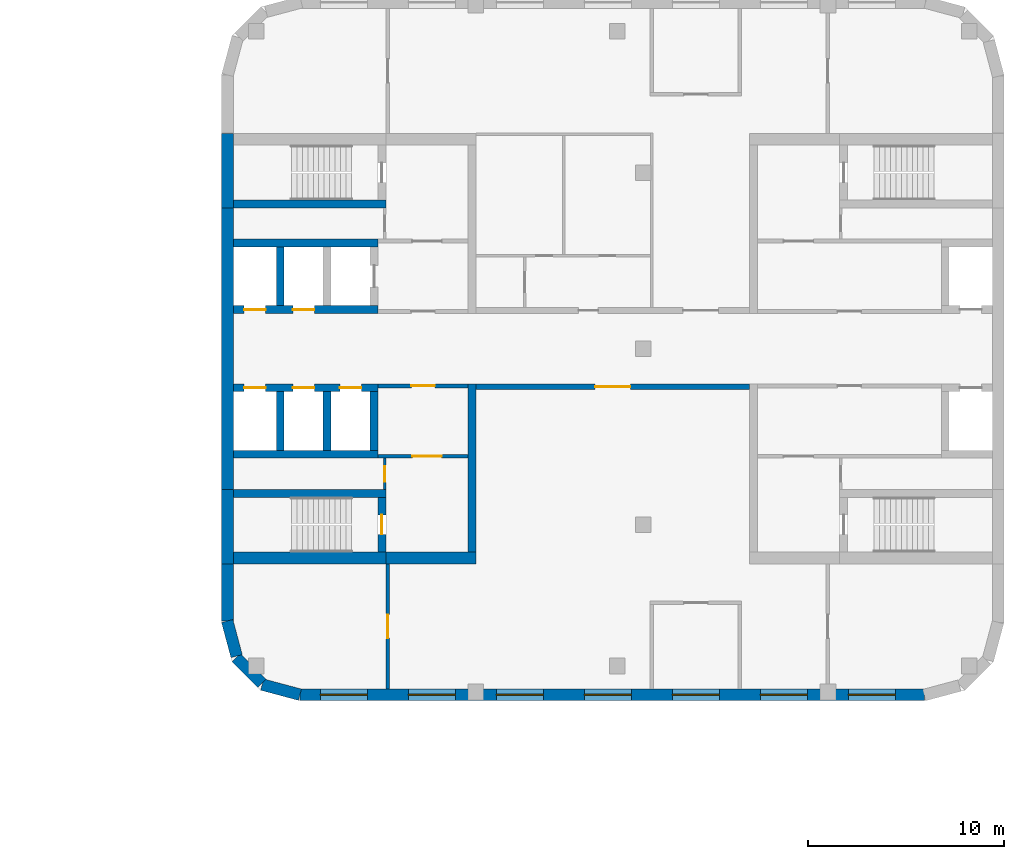
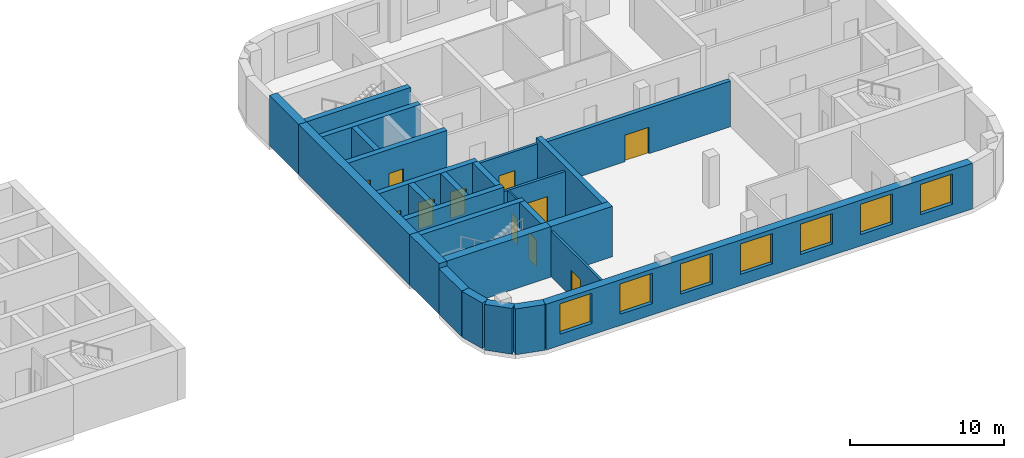
# One storey, part 7 of 15: 27 walls, 11 doors, 7 windows, 18 openings.
"""IFC4 building model written with IfcOpenShell, lengths in metres."""

from ifc_helpers import new_model, si_unit, direction, frame, frame_2d, origin, place, context, subcontext, project, spatial, rectangle, extrude, material, layer, layer_set, type_object, element, fill, save


model = new_model("IFC4")

# Units and contexts
model_context = context("Model", 3, precision=1e-05, world=origin(), true_north=direction((0.0, 1.0)))
body_context = subcontext(model_context, "Body", "Model", "MODEL_VIEW")
ifc_project = project(units=[si_unit("LENGTHUNIT", "METRE"), si_unit("AREAUNIT", "SQUARE_METRE"), si_unit("VOLUMEUNIT", "CUBIC_METRE"), si_unit("PLANEANGLEUNIT", "RADIAN"), si_unit("MASSUNIT", "GRAM", prefix="KILO")], contexts=[model_context])

# Site, building, storey
site_placement = place(None, origin())
site = spatial("IfcSite", under=ifc_project, at=site_placement, CompositionType="ELEMENT")
building_placement = place(site_placement, origin())
building = spatial("IfcBuilding", under=site, at=building_placement, Name="Skarvind Civic Tower", CompositionType="ELEMENT")
storey_placement = place(building_placement, frame((0.0, 0.0, 55.5)))
storey = spatial("IfcBuildingStorey", under=building, at=storey_placement, Name="L12", CompositionType="ELEMENT", Elevation=55.5)

# Wall, opening, door
ifc_material_1 = material(Name="Acoustic gypsum board on steel studs", Category="steel")
ifc_layer_1 = layer(ifc_material_1, 0.175048828125)
ifc_layer_set_1 = layer_set([ifc_layer_1], Name="ACOUSTIC MEETING-ROOM PARTITION 175")
wall_type_1 = type_object("IfcWallType", Name="ACOUSTIC MEETING-ROOM PARTITION 175", PredefinedType="PARTITIONING", material=ifc_layer_set_1)
wall_1_placement = place(storey_placement, frame((135.5, 117.0, 0.0), z_axis=(0.0, 0.0, 1.0), x_axis=(0.0, -1.0, 0.0)))
wall_1 = element("IfcWall", 1, at=wall_1_placement, inside=storey, type_object=wall_type_1, Name="Partition 12.001", PredefinedType="PARTITIONING", context=body_context, shape_type="SweptSolid", body=[
    extrude(rectangle(XDim=6.39990234375, YDim=0.175048828125, at=frame_2d((3.199951171875, 0.0))), origin(), (0.0, 0.0, 1.0), 3.625),
])
opening_1_placement = place(wall_1_placement, frame((2.60009765625, 0.0, 0.0)))
opening_1 = element("IfcOpeningElement", 2, at=opening_1_placement, cuts=wall_1, Name="Opening L12-D111", PredefinedType="OPENING", context=body_context, shape_type="SweptSolid", body=[
    extrude(rectangle(XDim=1.199951171875, YDim=2.10009765625, at=frame_2d((0.60009765625, 1.050048828125))), frame((0.0, 0.097412109375, 0.0), z_axis=(0.0, -1.0, 0.0), x_axis=(1.0, 0.0, 0.0)), (0.0, 0.0, 1.0), 0.195068359375),
])
ifc_material_2 = material(Name="Timber door leaf", Category="wood")
door_type_1 = type_object("IfcDoorType", Name="DOOR 1200X2100 DOUBLE TIMBER", OperationType="NOTDEFINED", PredefinedType="DOOR", material=ifc_material_2)
door_1_placement = place(opening_1_placement, origin())
door_1 = element("IfcDoor", 3, at=door_1_placement, inside=storey, type_object=door_type_1, Name="Door L12-D111", OperationType="DOUBLE_DOOR_SINGLE_SWING", OverallHeight=2.10009765625, OverallWidth=1.199951171875, PredefinedType="DOOR", context=body_context, shape_type="SweptSolid", body=[
    extrude(rectangle(XDim=1.199951171875, YDim=2.10009765625, at=frame_2d((0.60009765625, 1.050048828125))), frame((0.0, 0.02490234375, 0.0), z_axis=(0.0, -1.0, 0.0), x_axis=(1.0, 0.0, 0.0)), (0.0, 0.0, 1.0), 0.050048828125),
])
fill(opening_1, door_1)

ifc_material_3 = material(Name="Fire-rated gypsum board on steel studs", Category="steel")
ifc_layer_2 = layer(ifc_material_3, 0.300048828125)
ifc_layer_set_2 = layer_set([ifc_layer_2], Name="CORRIDOR WALL 300")
wall_type_2 = type_object("IfcWallType", Name="CORRIDOR WALL 300", PredefinedType="PARTITIONING", material=ifc_layer_set_2)
wall_2_placement = place(storey_placement, frame((154.0, 126.050048828125, 0.0), z_axis=(0.0, 0.0, 1.0), x_axis=(-1.0, 0.0, 0.0)))
wall_2 = element("IfcWall", 4, at=wall_2_placement, inside=storey, type_object=wall_type_2, Name="Partition 12.015", PredefinedType="PARTITIONING", context=body_context, shape_type="SweptSolid", body=[
    extrude(rectangle(XDim=14.0, YDim=0.300048828125, at=frame_2d((7.0, 0.0))), origin(), (0.0, 0.0, 1.0), 3.625),
])
opening_2_placement = place(wall_2_placement, frame((6.10009765625, 0.0, 0.0)))
opening_2 = element("IfcOpeningElement", 5, at=opening_2_placement, cuts=wall_2, Name="Opening L12-D109", PredefinedType="OPENING", context=body_context, shape_type="SweptSolid", body=[
    extrude(rectangle(XDim=1.800048828125, YDim=2.10009765625, at=frame_2d((0.89990234375, 1.050048828125))), frame((0.0, 0.159912109375, 0.0), z_axis=(0.0, -1.0, 0.0), x_axis=(1.0, 0.0, 0.0)), (0.0, 0.0, 1.0), 0.320068359375),
])
ifc_material_4 = material(Name="Fire-rated timber door leaf", Category="wood")
door_type_2 = type_object("IfcDoorType", Name="FD4 1800x2100", OperationType="NOTDEFINED", PredefinedType="DOOR", material=ifc_material_4)
door_2_placement = place(opening_2_placement, origin())
door_2 = element("IfcDoor", 6, at=door_2_placement, inside=storey, type_object=door_type_2, Name="Door L12-D109", OperationType="DOUBLE_DOOR_SINGLE_SWING", OverallHeight=2.10009765625, OverallWidth=1.800048828125, PredefinedType="DOOR", context=body_context, shape_type="SweptSolid", body=[
    extrude(rectangle(XDim=1.800048828125, YDim=2.10009765625, at=frame_2d((0.89990234375, 1.050048828125))), frame((0.0, 0.02490234375, 0.0), z_axis=(0.0, -1.0, 0.0), x_axis=(1.0, 0.0, 0.0)), (0.0, 0.0, 1.0), 0.050048828125),
])
fill(opening_2, door_2)

ifc_material_5 = material(Name="Fire-rated masonry partition", Category="masonry")
ifc_layer_3 = layer(ifc_material_5, 0.199951171875)
ifc_layer_set_3 = layer_set([ifc_layer_3], Name="Core enclosure wall 200")
wall_type_3 = type_object("IfcWallType", Name="Core enclosure wall 200", PredefinedType="PARTITIONING", material=ifc_layer_set_3)
wall_3_placement = place(storey_placement, frame((139.60009765625, 126.10009765625, 0.0), z_axis=(0.0, 0.0, 1.0), x_axis=(-1.0, 0.0, 0.0)))
wall_3 = element("IfcWall", 7, at=wall_3_placement, inside=storey, type_object=wall_type_3, Name="Core wall CA", PredefinedType="PARTITIONING", context=body_context, shape_type="SweptSolid", body=[
    extrude(rectangle(XDim=4.60009765625, YDim=0.199951171875, at=frame_2d((2.300048828125, 0.0))), origin(), (0.0, 0.0, 1.0), 3.625),
])
opening_3_placement = place(wall_3_placement, frame((1.699951171875, 0.0, 0.0)))
opening_3 = element("IfcOpeningElement", 8, at=opening_3_placement, cuts=wall_3, Name="Opening D-L12-CA-10", PredefinedType="OPENING", context=body_context, shape_type="SweptSolid", body=[
    extrude(rectangle(XDim=1.199951171875, YDim=2.10009765625, at=frame_2d((0.60009765625, 1.050048828125))), frame((0.0, 0.10986328125, 0.0), z_axis=(0.0, -1.0, 0.0), x_axis=(1.0, 0.0, 0.0)), (0.0, 0.0, 1.0), 0.219970703125),
])
ifc_material_6 = material(Name="Fire-rated steel door", Category="steel")
door_type_3 = type_object("IfcDoorType", Name="Core lobby door 1200", OperationType="NOTDEFINED", PredefinedType="DOOR", material=ifc_material_6)
door_3_placement = place(opening_3_placement, origin())
door_3 = element("IfcDoor", 9, at=door_3_placement, inside=storey, type_object=door_type_3, Name="Fire door", OperationType="DOUBLE_DOOR_SINGLE_SWING", OverallHeight=2.10009765625, OverallWidth=1.199951171875, PredefinedType="DOOR", context=body_context, shape_type="SweptSolid", body=[
    extrude(rectangle(XDim=1.199951171875, YDim=2.10009765625, at=frame_2d((0.60009765625, 1.050048828125))), frame((0.0, 0.02490234375, 0.0), z_axis=(0.0, -1.0, 0.0), x_axis=(1.0, 0.0, 0.0)), (0.0, 0.0, 1.0), 0.050048828125),
])
fill(opening_3, door_3)

wall_4_placement = place(storey_placement, frame((139.60009765625, 122.5, 0.0), z_axis=(0.0, 0.0, 1.0), x_axis=(-1.0, 0.0, 0.0)))
wall_4 = element("IfcWall", 10, at=wall_4_placement, inside=storey, type_object=wall_type_3, Name="Core wall CA", PredefinedType="PARTITIONING", context=body_context, shape_type="SweptSolid", body=[
    extrude(rectangle(XDim=4.60009765625, YDim=0.199951171875, at=frame_2d((2.300048828125, 0.0))), origin(), (0.0, 0.0, 1.0), 3.625),
])
opening_4_placement = place(wall_4_placement, frame((1.35009765625, 0.0, 0.0)))
opening_4 = element("IfcOpeningElement", 11, at=opening_4_placement, cuts=wall_4, Name="Opening D-L12-CA-11", PredefinedType="OPENING", context=body_context, shape_type="SweptSolid", body=[
    extrude(rectangle(XDim=1.5, YDim=2.10009765625, at=frame_2d((0.75, 1.050048828125))), frame((0.0, 0.10986328125, 0.0), z_axis=(0.0, -1.0, 0.0), x_axis=(1.0, 0.0, 0.0)), (0.0, 0.0, 1.0), 0.219970703125),
])
door_type_4 = type_object("IfcDoorType", Name="Fire door 1500", OperationType="NOTDEFINED", PredefinedType="DOOR", material=ifc_material_6)
door_4_placement = place(opening_4_placement, origin())
door_4 = element("IfcDoor", 12, at=door_4_placement, inside=storey, type_object=door_type_4, Name="Fire door", OperationType="DOUBLE_DOOR_SINGLE_SWING", OverallHeight=2.10009765625, OverallWidth=1.5, PredefinedType="DOOR", context=body_context, shape_type="SweptSolid", body=[
    extrude(rectangle(XDim=1.5, YDim=2.10009765625, at=frame_2d((0.75, 1.050048828125))), frame((0.0, 0.02490234375, 0.0), z_axis=(0.0, -1.0, 0.0), x_axis=(1.0, 0.0, 0.0)), (0.0, 0.0, 1.0), 0.050048828125),
])
fill(opening_4, door_4)

# Wall
ifc_material_7 = material(Name="Concrete C80", Category="concrete")
ifc_layer_4 = layer(ifc_material_7, 0.39990234375)
ifc_layer_set_4 = layer_set([ifc_layer_4], Name="Core wall 400 C80")
wall_type_4 = type_object("IfcWallType", Name="Core wall 400 C80", PredefinedType="SHEAR", material=ifc_layer_set_4)
wall_5_placement = place(storey_placement, frame((127.60009765625, 120.60009765625, 0.0), z_axis=(0.0, 0.0, 1.0), x_axis=(1.0, 0.0, 0.0)))
element("IfcWall", 13, at=wall_5_placement, inside=storey, type_object=wall_type_4, Name="Core wall CA south stair inner L12", PredefinedType="SHEAR", context=body_context, shape_type="SweptSolid", body=[
    extrude(rectangle(XDim=7.7998046875, YDim=0.39990234375, at=frame_2d((3.89990234375, 0.0))), origin(), (0.0, 0.0, 1.0), 4.0),
])

# Wall, opening, door
wall_6_placement = place(storey_placement, frame((135.199951171875, 117.60009765625, 0.0), z_axis=(0.0, 0.0, 1.0), x_axis=(0.0, 1.0, 0.0)))
wall_6 = element("IfcWall", 14, at=wall_6_placement, inside=storey, type_object=wall_type_4, Name="Core wall CA south stair end L12", PredefinedType="SHEAR", context=body_context, shape_type="SweptSolid", body=[
    extrude(rectangle(XDim=2.7998046875, YDim=0.39990234375, at=frame_2d((1.39990234375, 0.0))), origin(), (0.0, 0.0, 1.0), 4.0),
])
opening_5_placement = place(wall_6_placement, frame((0.89990234375, 0.0, 0.0)))
opening_5 = element("IfcOpeningElement", 15, at=opening_5_placement, cuts=wall_6, Name="Opening D-L12-CA-12", PredefinedType="OPENING", context=body_context, shape_type="SweptSolid", body=[
    extrude(rectangle(XDim=1.0, YDim=2.10009765625, at=frame_2d((0.5, 1.050048828125))), frame((0.0, 0.2099609375, 0.0), z_axis=(0.0, -1.0, 0.0), x_axis=(1.0, 0.0, 0.0)), (0.0, 0.0, 1.0), 0.419921875),
])
door_type_5 = type_object("IfcDoorType", Name="Fire door 1000", OperationType="NOTDEFINED", PredefinedType="DOOR", material=ifc_material_6)
door_5_placement = place(opening_5_placement, origin())
door_5 = element("IfcDoor", 16, at=door_5_placement, inside=storey, type_object=door_type_5, Name="Fire door", OperationType="SINGLE_SWING_RIGHT", OverallHeight=2.10009765625, OverallWidth=1.0, PredefinedType="DOOR", context=body_context, shape_type="SweptSolid", body=[
    extrude(rectangle(XDim=1.0, YDim=2.10009765625, at=frame_2d((0.5, 1.050048828125))), frame((0.0, 0.02490234375, 0.0), z_axis=(0.0, -1.0, 0.0), x_axis=(1.0, 0.0, 0.0)), (0.0, 0.0, 1.0), 0.050048828125),
])
fill(opening_5, door_5)

# Wall
wall_7_placement = place(storey_placement, frame((127.60009765625, 135.39990234375, 0.0), z_axis=(0.0, 0.0, 1.0), x_axis=(1.0, 0.0, 0.0)))
element("IfcWall", 17, at=wall_7_placement, inside=storey, type_object=wall_type_4, Name="Core wall CA north stair inner L12", PredefinedType="SHEAR", context=body_context, shape_type="SweptSolid", body=[
    extrude(rectangle(XDim=7.7998046875, YDim=0.39990234375, at=frame_2d((3.89990234375, 0.0))), origin(), (0.0, 0.0, 1.0), 4.0),
])

# Wall, openings, doors
wall_8_placement = place(storey_placement, frame((127.60009765625, 126.0, 0.0), z_axis=(0.0, 0.0, 1.0), x_axis=(1.0, 0.0, 0.0)))
wall_8 = element("IfcWall", 18, at=wall_8_placement, inside=storey, type_object=wall_type_4, Name="Core wall CA south lift row front L12", PredefinedType="SHEAR", context=body_context, shape_type="SweptSolid", body=[
    extrude(rectangle(XDim=7.39990234375, YDim=0.39990234375, at=frame_2d((3.699951171875, 0.0))), origin(), (0.0, 0.0, 1.0), 4.0),
])
opening_6_placement = place(wall_8_placement, frame((0.550048828125, 0.0, 0.0)))
opening_6 = element("IfcOpeningElement", 19, at=opening_6_placement, cuts=wall_8, Name="Opening LD14304", PredefinedType="OPENING", context=body_context, shape_type="SweptSolid", body=[
    extrude(rectangle(XDim=1.10009765625, YDim=2.10009765625, at=frame_2d((0.550048828125, 1.050048828125))), frame((0.0, 0.2099609375, 0.0), z_axis=(0.0, -1.0, 0.0), x_axis=(1.0, 0.0, 0.0)), (0.0, 0.0, 1.0), 0.419921875),
])
opening_7_placement = place(wall_8_placement, frame((3.050048828125, 0.0, 0.0)))
opening_7 = element("IfcOpeningElement", 20, at=opening_7_placement, cuts=wall_8, Name="Opening LD14305", PredefinedType="OPENING", context=body_context, shape_type="SweptSolid", body=[
    extrude(rectangle(XDim=1.10009765625, YDim=2.10009765625, at=frame_2d((0.550048828125, 1.050048828125))), frame((0.0, 0.2099609375, 0.0), z_axis=(0.0, -1.0, 0.0), x_axis=(1.0, 0.0, 0.0)), (0.0, 0.0, 1.0), 0.419921875),
])
opening_8_placement = place(wall_8_placement, frame((5.449951171875, 0.0, 0.0)))
opening_8 = element("IfcOpeningElement", 21, at=opening_8_placement, cuts=wall_8, Name="Opening LD14306", PredefinedType="OPENING", context=body_context, shape_type="SweptSolid", body=[
    extrude(rectangle(XDim=1.10009765625, YDim=2.10009765625, at=frame_2d((0.550048828125, 1.050048828125))), frame((0.0, 0.2099609375, 0.0), z_axis=(0.0, -1.0, 0.0), x_axis=(1.0, 0.0, 0.0)), (0.0, 0.0, 1.0), 0.419921875),
])
ifc_material_8 = material(Name="Stainless steel landing door", Category="steel")
door_type_6 = type_object("IfcDoorType", Name="Lift landing door 1100", OperationType="DOUBLE_DOOR_SLIDING", PredefinedType="DOOR", material=ifc_material_8)
door_6_placement = place(opening_6_placement, origin())
door_6 = element("IfcDoor", 22, at=door_6_placement, inside=storey, type_object=door_type_6, Name="Lift landing door", OperationType="DOUBLE_DOOR_SLIDING", OverallHeight=2.10009765625, OverallWidth=1.10009765625, PredefinedType="DOOR", context=body_context, shape_type="SweptSolid", body=[
    extrude(rectangle(XDim=1.10009765625, YDim=2.10009765625, at=frame_2d((0.550048828125, 1.050048828125))), frame((0.0, 0.02490234375, 0.0), z_axis=(0.0, -1.0, 0.0), x_axis=(1.0, 0.0, 0.0)), (0.0, 0.0, 1.0), 0.050048828125),
])
fill(opening_6, door_6)
door_7_placement = place(opening_7_placement, origin())
door_7 = element("IfcDoor", 23, at=door_7_placement, inside=storey, type_object=door_type_6, Name="Lift landing door", OperationType="DOUBLE_DOOR_SLIDING", OverallHeight=2.10009765625, OverallWidth=1.10009765625, PredefinedType="DOOR", context=body_context, shape_type="SweptSolid", body=[
    extrude(rectangle(XDim=1.10009765625, YDim=2.10009765625, at=frame_2d((0.550048828125, 1.050048828125))), frame((0.0, 0.02490234375, 0.0), z_axis=(0.0, -1.0, 0.0), x_axis=(1.0, 0.0, 0.0)), (0.0, 0.0, 1.0), 0.050048828125),
])
fill(opening_7, door_7)
door_8_placement = place(opening_8_placement, origin())
door_8 = element("IfcDoor", 24, at=door_8_placement, inside=storey, type_object=door_type_6, Name="Lift landing door", OperationType="DOUBLE_DOOR_SLIDING", OverallHeight=2.10009765625, OverallWidth=1.10009765625, PredefinedType="DOOR", context=body_context, shape_type="SweptSolid", body=[
    extrude(rectangle(XDim=1.10009765625, YDim=2.10009765625, at=frame_2d((0.550048828125, 1.050048828125))), frame((0.0, 0.02490234375, 0.0), z_axis=(0.0, -1.0, 0.0), x_axis=(1.0, 0.0, 0.0)), (0.0, 0.0, 1.0), 0.050048828125),
])
fill(opening_8, door_8)

# Walls
wall_9_placement = place(storey_placement, frame((127.60009765625, 122.60009765625, 0.0), z_axis=(0.0, 0.0, 1.0), x_axis=(1.0, 0.0, 0.0)))
element("IfcWall", 25, at=wall_9_placement, inside=storey, type_object=wall_type_4, Name="Core wall CA south lift row back L12", PredefinedType="SHEAR", context=body_context, shape_type="SweptSolid", body=[
    extrude(rectangle(XDim=7.39990234375, YDim=0.39990234375, at=frame_2d((3.699951171875, 0.0))), origin(), (0.0, 0.0, 1.0), 4.0),
])
for number, where, z_axis, x_axis, name in (
    (26, (130.0, 122.800048828125, 0.0), (0.0, 0.0, 1.0), (0.0, 1.0, 0.0), "Core wall CA south lift row division 1 L12"),
    (27, (132.39990234375, 122.800048828125, 0.0), (0.0, 0.0, 1.0), (0.0, 1.0, 0.0), "Core wall CA south lift row division 2 L12"),
    (28, (134.800048828125, 122.800048828125, 0.0), (0.0, 0.0, 1.0), (0.0, 1.0, 0.0), "Core wall CA south lift row division 3 L12"),
):
    element("IfcWall", number, at=place(storey_placement, frame(where, z_axis=z_axis, x_axis=x_axis)), inside=storey, type_object=wall_type_4, Name=name, PredefinedType="SHEAR", context=body_context, shape_type="SweptSolid", body=[
        extrude(rectangle(XDim=3.0, YDim=0.39990234375, at=frame_2d((1.5, 0.0))), origin(), (0.0, 0.0, 1.0), 4.0),
    ])

# Wall, openings, doors
wall_10_placement = place(storey_placement, frame((127.60009765625, 130.0, 0.0), z_axis=(0.0, 0.0, 1.0), x_axis=(1.0, 0.0, 0.0)))
wall_10 = element("IfcWall", 29, at=wall_10_placement, inside=storey, type_object=wall_type_4, Name="Core wall CA north lift row front L12", PredefinedType="SHEAR", context=body_context, shape_type="SweptSolid", body=[
    extrude(rectangle(XDim=7.39990234375, YDim=0.39990234375, at=frame_2d((3.699951171875, 0.0))), origin(), (0.0, 0.0, 1.0), 4.0),
])
opening_9_placement = place(wall_10_placement, frame((0.550048828125, 0.0, 0.0)))
opening_9 = element("IfcOpeningElement", 30, at=opening_9_placement, cuts=wall_10, Name="Opening LD14301", PredefinedType="OPENING", context=body_context, shape_type="SweptSolid", body=[
    extrude(rectangle(XDim=1.10009765625, YDim=2.10009765625, at=frame_2d((0.550048828125, 1.050048828125))), frame((0.0, 0.2099609375, 0.0), z_axis=(0.0, -1.0, 0.0), x_axis=(1.0, 0.0, 0.0)), (0.0, 0.0, 1.0), 0.419921875),
])
opening_10_placement = place(wall_10_placement, frame((3.050048828125, 0.0, 0.0)))
opening_10 = element("IfcOpeningElement", 31, at=opening_10_placement, cuts=wall_10, Name="Opening LD14302", PredefinedType="OPENING", context=body_context, shape_type="SweptSolid", body=[
    extrude(rectangle(XDim=1.10009765625, YDim=2.10009765625, at=frame_2d((0.550048828125, 1.050048828125))), frame((0.0, 0.2099609375, 0.0), z_axis=(0.0, -1.0, 0.0), x_axis=(1.0, 0.0, 0.0)), (0.0, 0.0, 1.0), 0.419921875),
])
door_9_placement = place(opening_9_placement, origin())
door_9 = element("IfcDoor", 32, at=door_9_placement, inside=storey, type_object=door_type_6, Name="Lift landing door", OperationType="DOUBLE_DOOR_SLIDING", OverallHeight=2.10009765625, OverallWidth=1.10009765625, PredefinedType="DOOR", context=body_context, shape_type="SweptSolid", body=[
    extrude(rectangle(XDim=1.10009765625, YDim=2.10009765625, at=frame_2d((0.550048828125, 1.050048828125))), frame((0.0, 0.02490234375, 0.0), z_axis=(0.0, -1.0, 0.0), x_axis=(1.0, 0.0, 0.0)), (0.0, 0.0, 1.0), 0.050048828125),
])
fill(opening_9, door_9)
door_10_placement = place(opening_10_placement, origin())
door_10 = element("IfcDoor", 33, at=door_10_placement, inside=storey, type_object=door_type_6, Name="Lift landing door", OperationType="DOUBLE_DOOR_SLIDING", OverallHeight=2.10009765625, OverallWidth=1.10009765625, PredefinedType="DOOR", context=body_context, shape_type="SweptSolid", body=[
    extrude(rectangle(XDim=1.10009765625, YDim=2.10009765625, at=frame_2d((0.550048828125, 1.050048828125))), frame((0.0, 0.02490234375, 0.0), z_axis=(0.0, -1.0, 0.0), x_axis=(1.0, 0.0, 0.0)), (0.0, 0.0, 1.0), 0.050048828125),
])
fill(opening_10, door_10)

# Walls
wall_11_placement = place(storey_placement, frame((127.60009765625, 133.39990234375, 0.0), z_axis=(0.0, 0.0, 1.0), x_axis=(1.0, 0.0, 0.0)))
element("IfcWall", 34, at=wall_11_placement, inside=storey, type_object=wall_type_4, Name="Core wall CA north lift row back L12", PredefinedType="SHEAR", context=body_context, shape_type="SweptSolid", body=[
    extrude(rectangle(XDim=7.39990234375, YDim=0.39990234375, at=frame_2d((3.699951171875, 0.0))), origin(), (0.0, 0.0, 1.0), 4.0),
])
wall_12_placement = place(storey_placement, frame((130.0, 130.199951171875, 0.0), z_axis=(0.0, 0.0, 1.0), x_axis=(0.0, 1.0, 0.0)))
element("IfcWall", 35, at=wall_12_placement, inside=storey, type_object=wall_type_4, Name="Core wall CA north lift row division 1 L12", PredefinedType="SHEAR", context=body_context, shape_type="SweptSolid", body=[
    extrude(rectangle(XDim=3.0, YDim=0.39990234375, at=frame_2d((1.5, 0.0))), origin(), (0.0, 0.0, 1.0), 4.0),
])
wall_13_placement = place(storey_placement, frame((139.800048828125, 117.60009765625, 0.0), z_axis=(0.0, 0.0, 1.0), x_axis=(0.0, 1.0, 0.0)))
element("IfcWall", 36, at=wall_13_placement, inside=storey, type_object=wall_type_4, Name="Core wall CA south inner face L12", PredefinedType="SHEAR", context=body_context, shape_type="SweptSolid", body=[
    extrude(rectangle(XDim=8.599853515625, YDim=0.39990234375, at=frame_2d((4.2998046875, 0.0))), origin(), (0.0, 0.0, 1.0), 4.0),
])
ifc_layer_5 = layer(ifc_material_7, 0.60009765625)
ifc_layer_set_5 = layer_set([ifc_layer_5], Name="Core wall 600 C80")
wall_type_5 = type_object("IfcWallType", Name="Core wall 600 C80", PredefinedType="SHEAR", material=ifc_layer_set_5)
wall_14_placement = place(storey_placement, frame((127.300048828125, 117.0, 0.0), z_axis=(0.0, 0.0, 1.0), x_axis=(0.0, 1.0, 0.0)))
element("IfcWall", 37, at=wall_14_placement, inside=storey, type_object=wall_type_5, Name="Core wall CA tip at the south stair L12", PredefinedType="SHEAR", context=body_context, shape_type="SweptSolid", body=[
    extrude(rectangle(XDim=3.800048828125, YDim=0.60009765625, at=frame_2d((1.89990234375, 0.0))), origin(), (0.0, 0.0, 1.0), 4.0),
])
wall_15_placement = place(storey_placement, frame((127.300048828125, 120.800048828125, 0.0), z_axis=(0.0, 0.0, 1.0), x_axis=(0.0, 1.0, 0.0)))
element("IfcWall", 38, at=wall_15_placement, inside=storey, type_object=wall_type_5, Name="Core wall CA tip between the stairs L12", PredefinedType="SHEAR", context=body_context, shape_type="SweptSolid", body=[
    extrude(rectangle(XDim=14.39990234375, YDim=0.60009765625, at=frame_2d((7.199951171875, 0.0))), origin(), (0.0, 0.0, 1.0), 4.0),
])
wall_16_placement = place(storey_placement, frame((127.300048828125, 135.199951171875, 0.0), z_axis=(0.0, 0.0, 1.0), x_axis=(0.0, 1.0, 0.0)))
element("IfcWall", 39, at=wall_16_placement, inside=storey, type_object=wall_type_5, Name="Core wall CA tip at the north stair L12", PredefinedType="SHEAR", context=body_context, shape_type="SweptSolid", body=[
    extrude(rectangle(XDim=3.800048828125, YDim=0.60009765625, at=frame_2d((1.89990234375, 0.0))), origin(), (0.0, 0.0, 1.0), 4.0),
])
wall_17_placement = place(storey_placement, frame((127.60009765625, 117.300048828125, 0.0), z_axis=(0.0, 0.0, 1.0), x_axis=(1.0, 0.0, 0.0)))
element("IfcWall", 40, at=wall_17_placement, inside=storey, type_object=wall_type_5, Name="Core wall CA south side at the stair L12", PredefinedType="SHEAR", context=body_context, shape_type="SweptSolid", body=[
    extrude(rectangle(XDim=7.7998046875, YDim=0.60009765625, at=frame_2d((3.89990234375, 0.0))), origin(), (0.0, 0.0, 1.0), 4.0),
])
wall_18_placement = place(storey_placement, frame((135.39990234375, 117.300048828125, 0.0), z_axis=(0.0, 0.0, 1.0), x_axis=(1.0, 0.0, 0.0)))
element("IfcWall", 41, at=wall_18_placement, inside=storey, type_object=wall_type_5, Name="Core wall CA south side L12", PredefinedType="SHEAR", context=body_context, shape_type="SweptSolid", body=[
    extrude(rectangle(XDim=4.60009765625, YDim=0.60009765625, at=frame_2d((2.300048828125, 0.0))), origin(), (0.0, 0.0, 1.0), 4.0),
])

# Wall, opening, door
ifc_layer_6 = layer(ifc_material_5, 0.125)
ifc_layer_set_6 = layer_set([ifc_layer_6], Name="Riser wall 125")
wall_type_6 = type_object("IfcWallType", Name="Riser wall 125", PredefinedType="PARTITIONING", material=ifc_layer_set_6)
wall_19_placement = place(storey_placement, frame((135.33740234375, 122.39990234375, 0.0), z_axis=(0.0, 0.0, 1.0), x_axis=(0.0, -1.0, 0.0)))
wall_19 = element("IfcWall", 42, at=wall_19_placement, inside=storey, type_object=wall_type_6, Name="Core wall CA", PredefinedType="PARTITIONING", context=body_context, shape_type="SweptSolid", body=[
    extrude(rectangle(XDim=1.599853515625, YDim=0.125, at=frame_2d((0.7998046875, 0.0))), origin(), (0.0, 0.0, 1.0), 3.625),
])
opening_11_placement = place(wall_19_placement, frame((0.39990234375, 0.0, 0.0)))
opening_11 = element("IfcOpeningElement", 43, at=opening_11_placement, cuts=wall_19, Name="Opening D-L12-CA-13", PredefinedType="OPENING", context=body_context, shape_type="SweptSolid", body=[
    extrude(rectangle(XDim=0.800048828125, YDim=2.10009765625, at=frame_2d((0.39990234375, 1.050048828125))), frame((0.0, 0.072509765625, 0.0), z_axis=(0.0, -1.0, 0.0), x_axis=(1.0, 0.0, 0.0)), (0.0, 0.0, 1.0), 0.14501953125),
])
door_type_7 = type_object("IfcDoorType", Name="Core riser door 800", OperationType="NOTDEFINED", PredefinedType="DOOR", material=ifc_material_6)
door_11_placement = place(opening_11_placement, origin())
door_11 = element("IfcDoor", 44, at=door_11_placement, inside=storey, type_object=door_type_7, Name="Riser door", OperationType="SINGLE_SWING_LEFT", OverallHeight=2.10009765625, OverallWidth=0.800048828125, PredefinedType="DOOR", context=body_context, shape_type="SweptSolid", body=[
    extrude(rectangle(XDim=0.800048828125, YDim=2.10009765625, at=frame_2d((0.39990234375, 1.050048828125))), frame((0.0, 0.02490234375, 0.0), z_axis=(0.0, -1.0, 0.0), x_axis=(1.0, 0.0, 0.0)), (0.0, 0.0, 1.0), 0.050048828125),
])
fill(opening_11, door_11)

# Walls
ifc_material_9 = material(Name="Limestone masonry cladding on insulated backing", Category="masonry")
ifc_layer_7 = layer(ifc_material_9, 0.60009765625)
ifc_layer_set_7 = layer_set([ifc_layer_7], Name="WX1 STONE FACADE WALL 600")
wall_type_7 = type_object("IfcWallType", Name="WX1 STONE FACADE WALL 600", PredefinedType="SOLIDWALL", material=ifc_layer_set_7)
wall_20_placement = place(storey_placement, frame((127.300048828125, 114.070068359375, 0.0), z_axis=(0.0, 0.0, 1.0), x_axis=(0.0, 1.0, 0.0)))
element("IfcWall", 45, at=wall_20_placement, inside=storey, type_object=wall_type_7, Name="STONE FACADE WALL", PredefinedType="SOLIDWALL", context=body_context, shape_type="SweptSolid", body=[
    extrude(rectangle(XDim=2.909912109375, YDim=0.60009765625, at=frame_2d((1.455078125, 0.0))), origin(), (0.0, 0.0, 1.0), 3.625),
])
for number, where, z_axis, x_axis, name in (
    (46, (127.771240234375, 112.280517578125, 0.0), (0.0, 0.0, 1.0), (-0.258773254036, 0.965938094805, 0.0), "STONE FACADE WALL"),
    (47, (129.063720703125, 110.896484375, 0.0), (0.0, 0.0, 1.0), (-0.707106781187, 0.707106781187, 0.0), "STONE FACADE WALL"),
):
    element("IfcWall", number, at=place(storey_placement, frame(where, z_axis=z_axis, x_axis=x_axis)), inside=storey, type_object=wall_type_7, Name=name, PredefinedType="SOLIDWALL", context=body_context, shape_type="SweptSolid", body=[
        extrude(rectangle(XDim=1.860595703125, YDim=0.60009765625, at=frame_2d((0.93017578125, 0.0))), origin(), (0.0, 0.0, 1.0), 3.625),
    ])
wall_21_placement = place(storey_placement, frame((131.010009765625, 110.307861328125, 0.0), z_axis=(0.0, 0.0, 1.0), x_axis=(-0.965920269068, 0.258839784042, 0.0)))
element("IfcWall", 48, at=wall_21_placement, inside=storey, type_object=wall_type_7, Name="STONE FACADE WALL", PredefinedType="SOLIDWALL", context=body_context, shape_type="SweptSolid", body=[
    extrude(rectangle(XDim=2.00048828125, YDim=0.60009765625, at=frame_2d((1.000244140625, 0.0))), origin(), (0.0, 0.0, 1.0), 3.625),
])

# Wall, openings, windows
wall_22_placement = place(storey_placement, frame((162.929931640625, 110.300048828125, 0.0), z_axis=(0.0, 0.0, 1.0), x_axis=(-1.0, 0.0, 0.0)))
wall_22 = element("IfcWall", 49, at=wall_22_placement, inside=storey, type_object=wall_type_7, Name="STONE FACADE WALL", PredefinedType="SOLIDWALL", context=body_context, shape_type="SweptSolid", body=[
    extrude(rectangle(XDim=31.929931640625, YDim=0.60009765625, at=frame_2d((15.96484375, 0.0))), origin(), (0.0, 0.0, 1.0), 3.625),
])
opening_12_placement = place(wall_22_placement, frame((1.47998046875, 0.0, 0.89990234375)))
opening_12 = element("IfcOpeningElement", 50, at=opening_12_placement, cuts=wall_22, Name="Opening WN9", PredefinedType="OPENING", context=body_context, shape_type="SweptSolid", body=[
    extrude(rectangle(XDim=2.39990234375, YDim=2.39990234375, at=frame_2d((1.199951171875, 1.199951171875))), frame((0.0, 0.31005859375, 0.0), z_axis=(0.0, -1.0, 0.0), x_axis=(1.0, 0.0, 0.0)), (0.0, 0.0, 1.0), 0.6201171875),
])
opening_13_placement = place(wall_22_placement, frame((5.97998046875, 0.0, 0.89990234375)))
opening_13 = element("IfcOpeningElement", 51, at=opening_13_placement, cuts=wall_22, Name="Opening WN9", PredefinedType="OPENING", context=body_context, shape_type="SweptSolid", body=[
    extrude(rectangle(XDim=2.39990234375, YDim=2.39990234375, at=frame_2d((1.199951171875, 1.199951171875))), frame((0.0, 0.31005859375, 0.0), z_axis=(0.0, -1.0, 0.0), x_axis=(1.0, 0.0, 0.0)), (0.0, 0.0, 1.0), 0.6201171875),
])
opening_14_placement = place(wall_22_placement, frame((10.47998046875, 0.0, 0.89990234375)))
opening_14 = element("IfcOpeningElement", 52, at=opening_14_placement, cuts=wall_22, Name="Opening WN9", PredefinedType="OPENING", context=body_context, shape_type="SweptSolid", body=[
    extrude(rectangle(XDim=2.39990234375, YDim=2.39990234375, at=frame_2d((1.199951171875, 1.199951171875))), frame((0.0, 0.31005859375, 0.0), z_axis=(0.0, -1.0, 0.0), x_axis=(1.0, 0.0, 0.0)), (0.0, 0.0, 1.0), 0.6201171875),
])
opening_15_placement = place(wall_22_placement, frame((14.97998046875, 0.0, 0.89990234375)))
opening_15 = element("IfcOpeningElement", 53, at=opening_15_placement, cuts=wall_22, Name="Opening WN9", PredefinedType="OPENING", context=body_context, shape_type="SweptSolid", body=[
    extrude(rectangle(XDim=2.39990234375, YDim=2.39990234375, at=frame_2d((1.199951171875, 1.199951171875))), frame((0.0, 0.31005859375, 0.0), z_axis=(0.0, -1.0, 0.0), x_axis=(1.0, 0.0, 0.0)), (0.0, 0.0, 1.0), 0.6201171875),
])
opening_16_placement = place(wall_22_placement, frame((19.47998046875, 0.0, 0.89990234375)))
opening_16 = element("IfcOpeningElement", 54, at=opening_16_placement, cuts=wall_22, Name="Opening WN9", PredefinedType="OPENING", context=body_context, shape_type="SweptSolid", body=[
    extrude(rectangle(XDim=2.39990234375, YDim=2.39990234375, at=frame_2d((1.199951171875, 1.199951171875))), frame((0.0, 0.31005859375, 0.0), z_axis=(0.0, -1.0, 0.0), x_axis=(1.0, 0.0, 0.0)), (0.0, 0.0, 1.0), 0.6201171875),
])
opening_17_placement = place(wall_22_placement, frame((23.97998046875, 0.0, 0.89990234375)))
opening_17 = element("IfcOpeningElement", 55, at=opening_17_placement, cuts=wall_22, Name="Opening WN9", PredefinedType="OPENING", context=body_context, shape_type="SweptSolid", body=[
    extrude(rectangle(XDim=2.39990234375, YDim=2.39990234375, at=frame_2d((1.199951171875, 1.199951171875))), frame((0.0, 0.31005859375, 0.0), z_axis=(0.0, -1.0, 0.0), x_axis=(1.0, 0.0, 0.0)), (0.0, 0.0, 1.0), 0.6201171875),
])
opening_18_placement = place(wall_22_placement, frame((28.47998046875, 0.0, 0.89990234375)))
opening_18 = element("IfcOpeningElement", 56, at=opening_18_placement, cuts=wall_22, Name="Opening WN9", PredefinedType="OPENING", context=body_context, shape_type="SweptSolid", body=[
    extrude(rectangle(XDim=2.39990234375, YDim=2.39990234375, at=frame_2d((1.199951171875, 1.199951171875))), frame((0.0, 0.31005859375, 0.0), z_axis=(0.0, -1.0, 0.0), x_axis=(1.0, 0.0, 0.0)), (0.0, 0.0, 1.0), 0.6201171875),
])
ifc_material_10 = material(Name="Timber frame, double glazing, timber-lined reveal", Category="wood")
window_type = type_object("IfcWindowType", Name="WN9 COMPANION TOWER WINDOW 2400 x 2400", PartitioningType="SINGLE_PANEL", PredefinedType="WINDOW", material=ifc_material_10)
window_1_placement = place(opening_12_placement, origin())
window_1 = element("IfcWindow", 57, at=window_1_placement, inside=storey, type_object=window_type, Name="WN9 WINDOW", OverallHeight=2.39990234375, OverallWidth=2.39990234375, PartitioningType="SINGLE_PANEL", PredefinedType="WINDOW", context=body_context, shape_type="SweptSolid", body=[
    extrude(rectangle(XDim=2.39990234375, YDim=2.39990234375, at=frame_2d((1.199951171875, 1.199951171875))), frame((0.0, 0.030029296875, 0.0), z_axis=(0.0, -1.0, 0.0), x_axis=(1.0, 0.0, 0.0)), (0.0, 0.0, 1.0), 0.06005859375),
])
fill(opening_12, window_1)
window_2_placement = place(opening_13_placement, origin())
window_2 = element("IfcWindow", 58, at=window_2_placement, inside=storey, type_object=window_type, Name="WN9 WINDOW", OverallHeight=2.39990234375, OverallWidth=2.39990234375, PartitioningType="SINGLE_PANEL", PredefinedType="WINDOW", context=body_context, shape_type="SweptSolid", body=[
    extrude(rectangle(XDim=2.39990234375, YDim=2.39990234375, at=frame_2d((1.199951171875, 1.199951171875))), frame((0.0, 0.030029296875, 0.0), z_axis=(0.0, -1.0, 0.0), x_axis=(1.0, 0.0, 0.0)), (0.0, 0.0, 1.0), 0.06005859375),
])
fill(opening_13, window_2)
window_3_placement = place(opening_14_placement, origin())
window_3 = element("IfcWindow", 59, at=window_3_placement, inside=storey, type_object=window_type, Name="WN9 WINDOW", OverallHeight=2.39990234375, OverallWidth=2.39990234375, PartitioningType="SINGLE_PANEL", PredefinedType="WINDOW", context=body_context, shape_type="SweptSolid", body=[
    extrude(rectangle(XDim=2.39990234375, YDim=2.39990234375, at=frame_2d((1.199951171875, 1.199951171875))), frame((0.0, 0.030029296875, 0.0), z_axis=(0.0, -1.0, 0.0), x_axis=(1.0, 0.0, 0.0)), (0.0, 0.0, 1.0), 0.06005859375),
])
fill(opening_14, window_3)
window_4_placement = place(opening_15_placement, origin())
window_4 = element("IfcWindow", 60, at=window_4_placement, inside=storey, type_object=window_type, Name="WN9 WINDOW", OverallHeight=2.39990234375, OverallWidth=2.39990234375, PartitioningType="SINGLE_PANEL", PredefinedType="WINDOW", context=body_context, shape_type="SweptSolid", body=[
    extrude(rectangle(XDim=2.39990234375, YDim=2.39990234375, at=frame_2d((1.199951171875, 1.199951171875))), frame((0.0, 0.030029296875, 0.0), z_axis=(0.0, -1.0, 0.0), x_axis=(1.0, 0.0, 0.0)), (0.0, 0.0, 1.0), 0.06005859375),
])
fill(opening_15, window_4)
window_5_placement = place(opening_16_placement, origin())
window_5 = element("IfcWindow", 61, at=window_5_placement, inside=storey, type_object=window_type, Name="WN9 WINDOW", OverallHeight=2.39990234375, OverallWidth=2.39990234375, PartitioningType="SINGLE_PANEL", PredefinedType="WINDOW", context=body_context, shape_type="SweptSolid", body=[
    extrude(rectangle(XDim=2.39990234375, YDim=2.39990234375, at=frame_2d((1.199951171875, 1.199951171875))), frame((0.0, 0.030029296875, 0.0), z_axis=(0.0, -1.0, 0.0), x_axis=(1.0, 0.0, 0.0)), (0.0, 0.0, 1.0), 0.06005859375),
])
fill(opening_16, window_5)
window_6_placement = place(opening_17_placement, origin())
window_6 = element("IfcWindow", 62, at=window_6_placement, inside=storey, type_object=window_type, Name="WN9 WINDOW", OverallHeight=2.39990234375, OverallWidth=2.39990234375, PartitioningType="SINGLE_PANEL", PredefinedType="WINDOW", context=body_context, shape_type="SweptSolid", body=[
    extrude(rectangle(XDim=2.39990234375, YDim=2.39990234375, at=frame_2d((1.199951171875, 1.199951171875))), frame((0.0, 0.030029296875, 0.0), z_axis=(0.0, -1.0, 0.0), x_axis=(1.0, 0.0, 0.0)), (0.0, 0.0, 1.0), 0.06005859375),
])
fill(opening_17, window_6)
window_7_placement = place(opening_18_placement, origin())
window_7 = element("IfcWindow", 63, at=window_7_placement, inside=storey, type_object=window_type, Name="WN9 WINDOW", OverallHeight=2.39990234375, OverallWidth=2.39990234375, PartitioningType="SINGLE_PANEL", PredefinedType="WINDOW", context=body_context, shape_type="SweptSolid", body=[
    extrude(rectangle(XDim=2.39990234375, YDim=2.39990234375, at=frame_2d((1.199951171875, 1.199951171875))), frame((0.0, 0.030029296875, 0.0), z_axis=(0.0, -1.0, 0.0), x_axis=(1.0, 0.0, 0.0)), (0.0, 0.0, 1.0), 0.06005859375),
])
fill(opening_18, window_7)

save(model, "model.ifc")
